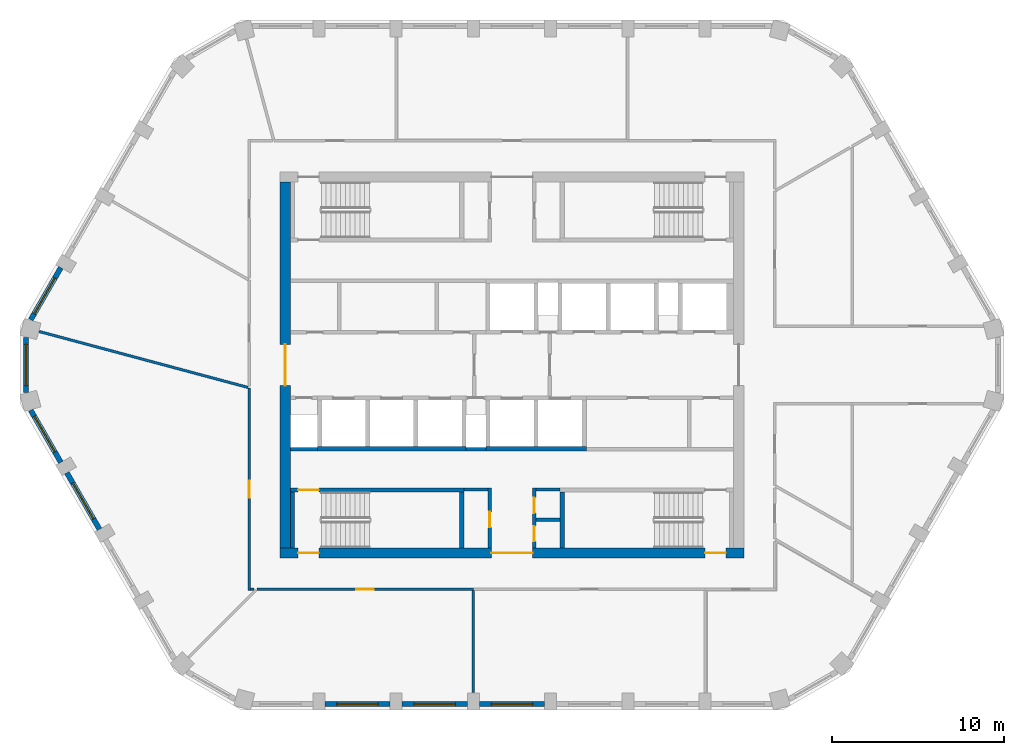
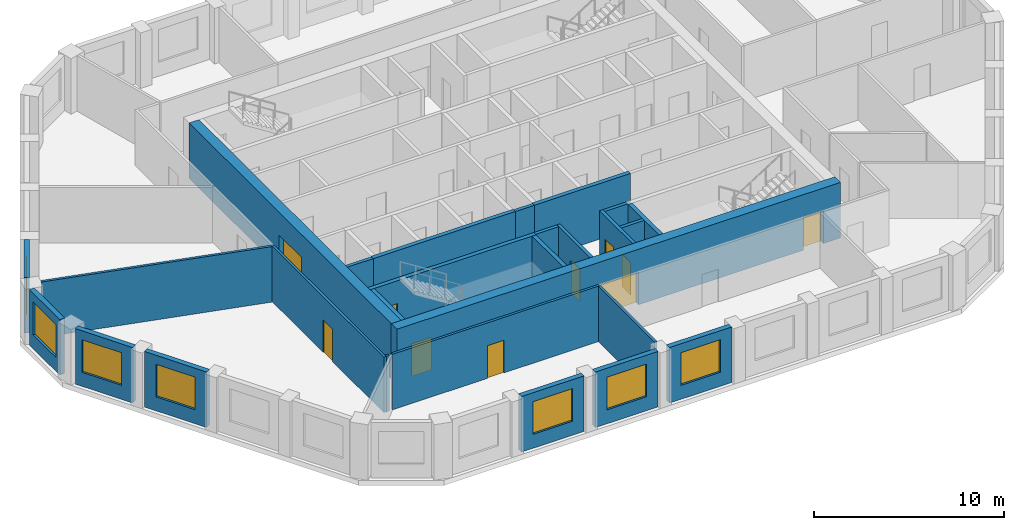
# One storey, part 2 of 10: 27 walls, 10 doors, 7 windows, 17 openings.
"""IFC4 building model written with IfcOpenShell, lengths in metres."""

from ifc_helpers import new_model, si_unit, direction, frame, frame_2d, origin, place, context, subcontext, project, spatial, polyline, rectangle, outline, extrude, material, layer, layer_set, type_object, element, fill, save


model = new_model("IFC4")

# Units and contexts
model_context = context("Model", 3, precision=1e-05, world=origin(), true_north=direction((0.0, 1.0)))
body_context = subcontext(model_context, "Body", "Model", "MODEL_VIEW")
ifc_project = project(units=[si_unit("LENGTHUNIT", "METRE"), si_unit("AREAUNIT", "SQUARE_METRE"), si_unit("VOLUMEUNIT", "CUBIC_METRE"), si_unit("PLANEANGLEUNIT", "RADIAN"), si_unit("MASSUNIT", "GRAM", prefix="KILO")], contexts=[model_context])

# Site, building, storey
site_placement = place(None, origin())
site = spatial("IfcSite", under=ifc_project, at=site_placement, CompositionType="ELEMENT")
building_placement = place(site_placement, origin())
building = spatial("IfcBuilding", under=site, at=building_placement, Name="Dhurran Vertical Campus", CompositionType="ELEMENT")
storey_placement = place(building_placement, frame((0.0, 0.0, 246.89990234375)))
storey = spatial("IfcBuildingStorey", under=building, at=storey_placement, Name="L61", CompositionType="ELEMENT", Elevation=246.89990234375)

# Wall, opening, window
ifc_material_1 = material(Name="Precast concrete C50/60", Category="concrete")
ifc_layer_1 = layer(ifc_material_1, 0.300048828125)
ifc_layer_set_1 = layer_set([ifc_layer_1], Name="Precast concrete C50/60")
wall_type_1 = type_object("IfcWallType", Name="Precast spandrel wall 300", PredefinedType="SOLIDWALL", material=ifc_layer_set_1)
wall_1_placement = place(storey_placement, frame((-10.8994140625, -19.738525390625, 0.0), z_axis=(0.0, 0.0, 1.0), x_axis=(1.0, 0.0, 0.0)))
wall_1 = element("IfcWall", 1, at=wall_1_placement, inside=storey, type_object=wall_type_1, Name="EW1 L61.01", PredefinedType="SOLIDWALL", context=body_context, shape_type="SweptSolid", body=[
    extrude(rectangle(XDim=3.798828125, YDim=0.300048828125, at=frame_2d((1.8994140625, 0.0))), origin(), (0.0, 0.0, 1.0), 3.5751953125),
])
opening_1_placement = place(wall_1_placement, frame((0.699462890625, 0.0, 0.89990234375)))
opening_1 = element("IfcOpeningElement", 2, at=opening_1_placement, cuts=wall_1, Name="Opening WT1", PredefinedType="OPENING", context=body_context, shape_type="SweptSolid", body=[
    extrude(rectangle(XDim=2.39990234375, YDim=2.10009765625, at=frame_2d((1.199951171875, 1.050048828125))), frame((0.0, 0.159912109375, 0.0), z_axis=(0.0, -1.0, 0.0), x_axis=(1.0, 0.0, 0.0)), (0.0, 0.0, 1.0), 0.320068359375),
])
ifc_material_2 = material(Name="Aluminium frame with solar-control glass", Category="aluminium")
window_type = type_object("IfcWindowType", Name="Punched window 2400 x 2100", PartitioningType="SINGLE_PANEL", PredefinedType="WINDOW", material=ifc_material_2)
window_1_placement = place(opening_1_placement, origin())
window_1 = element("IfcWindow", 3, at=window_1_placement, inside=storey, type_object=window_type, Name="WT1 L61.01", OverallHeight=2.10009765625, OverallWidth=2.39990234375, PartitioningType="SINGLE_PANEL", PredefinedType="WINDOW", context=body_context, shape_type="SweptSolid", body=[
    extrude(rectangle(XDim=2.39990234375, YDim=2.10009765625, at=frame_2d((1.199951171875, 1.050048828125))), frame((0.0, 0.030029296875, 0.0), z_axis=(0.0, -1.0, 0.0), x_axis=(1.0, 0.0, 0.0)), (0.0, 0.0, 1.0), 0.06005859375),
])
fill(opening_1, window_1)

wall_2_placement = place(storey_placement, frame((-6.3994140625, -19.738525390625, 0.0), z_axis=(0.0, 0.0, 1.0), x_axis=(1.0, 0.0, 0.0)))
wall_2 = element("IfcWall", 4, at=wall_2_placement, inside=storey, type_object=wall_type_1, Name="EW1 L61.02", PredefinedType="SOLIDWALL", context=body_context, shape_type="SweptSolid", body=[
    extrude(rectangle(XDim=3.798828125, YDim=0.300048828125, at=frame_2d((1.8994140625, 0.0))), origin(), (0.0, 0.0, 1.0), 3.5751953125),
])
opening_2_placement = place(wall_2_placement, frame((0.699462890625, 0.0, 0.89990234375)))
opening_2 = element("IfcOpeningElement", 5, at=opening_2_placement, cuts=wall_2, Name="Opening WT1", PredefinedType="OPENING", context=body_context, shape_type="SweptSolid", body=[
    extrude(rectangle(XDim=2.39990234375, YDim=2.10009765625, at=frame_2d((1.199951171875, 1.050048828125))), frame((0.0, 0.159912109375, 0.0), z_axis=(0.0, -1.0, 0.0), x_axis=(1.0, 0.0, 0.0)), (0.0, 0.0, 1.0), 0.320068359375),
])
window_2_placement = place(opening_2_placement, origin())
window_2 = element("IfcWindow", 6, at=window_2_placement, inside=storey, type_object=window_type, Name="WT1 L61.02", OverallHeight=2.10009765625, OverallWidth=2.39990234375, PartitioningType="SINGLE_PANEL", PredefinedType="WINDOW", context=body_context, shape_type="SweptSolid", body=[
    extrude(rectangle(XDim=2.39990234375, YDim=2.10009765625, at=frame_2d((1.199951171875, 1.050048828125))), frame((0.0, 0.030029296875, 0.0), z_axis=(0.0, -1.0, 0.0), x_axis=(1.0, 0.0, 0.0)), (0.0, 0.0, 1.0), 0.06005859375),
])
fill(opening_2, window_2)

wall_3_placement = place(storey_placement, frame((-1.8994140625, -19.738525390625, 0.0), z_axis=(0.0, 0.0, 1.0), x_axis=(1.0, 0.0, 0.0)))
wall_3 = element("IfcWall", 7, at=wall_3_placement, inside=storey, type_object=wall_type_1, Name="EW1 L61.03", PredefinedType="SOLIDWALL", context=body_context, shape_type="SweptSolid", body=[
    extrude(rectangle(XDim=3.798828125, YDim=0.300048828125, at=frame_2d((1.8994140625, 0.0))), origin(), (0.0, 0.0, 1.0), 3.5751953125),
])
opening_3_placement = place(wall_3_placement, frame((0.699462890625, 0.0, 0.89990234375)))
opening_3 = element("IfcOpeningElement", 8, at=opening_3_placement, cuts=wall_3, Name="Opening WT1", PredefinedType="OPENING", context=body_context, shape_type="SweptSolid", body=[
    extrude(rectangle(XDim=2.39990234375, YDim=2.10009765625, at=frame_2d((1.199951171875, 1.050048828125))), frame((0.0, 0.159912109375, 0.0), z_axis=(0.0, -1.0, 0.0), x_axis=(1.0, 0.0, 0.0)), (0.0, 0.0, 1.0), 0.320068359375),
])
window_3_placement = place(opening_3_placement, origin())
window_3 = element("IfcWindow", 9, at=window_3_placement, inside=storey, type_object=window_type, Name="WT1 L61.03", OverallHeight=2.10009765625, OverallWidth=2.39990234375, PartitioningType="SINGLE_PANEL", PredefinedType="WINDOW", context=body_context, shape_type="SweptSolid", body=[
    extrude(rectangle(XDim=2.39990234375, YDim=2.10009765625, at=frame_2d((1.199951171875, 1.050048828125))), frame((0.0, 0.030029296875, 0.0), z_axis=(0.0, -1.0, 0.0), x_axis=(1.0, 0.0, 0.0)), (0.0, 0.0, 1.0), 0.06005859375),
])
fill(opening_3, window_3)

wall_4_placement = place(storey_placement, frame((-26.269287109375, 5.668701171875, 0.0), z_axis=(0.0, 0.0, 1.0), x_axis=(-0.499990325971, -0.866030989016, 0.0)))
wall_4 = element("IfcWall", 10, at=wall_4_placement, inside=storey, type_object=wall_type_1, Name="EW1 L61.29", PredefinedType="SOLIDWALL", context=body_context, shape_type="SweptSolid", body=[
    extrude(rectangle(XDim=3.49755859375, YDim=0.300048828125, at=frame_2d((1.748779296875, 0.0))), origin(), (0.0, 0.0, 1.0), 3.5751953125),
])
opening_4_placement = place(wall_4_placement, frame((0.699462890625, 0.0, 0.89990234375)))
opening_4 = element("IfcOpeningElement", 11, at=opening_4_placement, cuts=wall_4, Name="Opening WT1", PredefinedType="OPENING", context=body_context, shape_type="SweptSolid", body=[
    extrude(rectangle(XDim=2.39990234375, YDim=2.10009765625, at=frame_2d((1.199951171875, 1.050048828125))), frame((0.0, 0.159912109375, 0.0), z_axis=(0.0, -1.0, 0.0), x_axis=(1.0, 0.0, 0.0)), (0.0, 0.0, 1.0), 0.320068359375),
])
window_4_placement = place(opening_4_placement, origin())
window_4 = element("IfcWindow", 12, at=window_4_placement, inside=storey, type_object=window_type, Name="WT1 L61.29", OverallHeight=2.10009765625, OverallWidth=2.39990234375, PartitioningType="SINGLE_PANEL", PredefinedType="WINDOW", context=body_context, shape_type="SweptSolid", body=[
    extrude(rectangle(XDim=2.39990234375, YDim=2.10009765625, at=frame_2d((1.199951171875, 1.050048828125))), frame((0.0, 0.030029296875, 0.0), z_axis=(0.0, -1.0, 0.0), x_axis=(1.0, 0.0, 0.0)), (0.0, 0.0, 1.0), 0.06005859375),
])
fill(opening_4, window_4)

wall_5_placement = place(storey_placement, frame((-28.297119140625, 1.59814453125, 0.0), z_axis=(0.0, 0.0, 1.0), x_axis=(0.0, -1.0, 0.0)))
wall_5 = element("IfcWall", 13, at=wall_5_placement, inside=storey, type_object=wall_type_1, Name="EW1 L61.30", PredefinedType="SOLIDWALL", context=body_context, shape_type="SweptSolid", body=[
    extrude(rectangle(XDim=3.1962890625, YDim=0.300048828125, at=frame_2d((1.59814453125, 0.0))), origin(), (0.0, 0.0, 1.0), 3.5751953125),
])
opening_5_placement = place(wall_5_placement, frame((0.398193359375, 0.0, 0.89990234375)))
opening_5 = element("IfcOpeningElement", 14, at=opening_5_placement, cuts=wall_5, Name="Opening WT1", PredefinedType="OPENING", context=body_context, shape_type="SweptSolid", body=[
    extrude(rectangle(XDim=2.39990234375, YDim=2.10009765625, at=frame_2d((1.199951171875, 1.050048828125))), frame((0.0, 0.159912109375, 0.0), z_axis=(0.0, -1.0, 0.0), x_axis=(1.0, 0.0, 0.0)), (0.0, 0.0, 1.0), 0.320068359375),
])
window_5_placement = place(opening_5_placement, origin())
window_5 = element("IfcWindow", 15, at=window_5_placement, inside=storey, type_object=window_type, Name="WT1 L61.30", OverallHeight=2.10009765625, OverallWidth=2.39990234375, PartitioningType="SINGLE_PANEL", PredefinedType="WINDOW", context=body_context, shape_type="SweptSolid", body=[
    extrude(rectangle(XDim=2.39990234375, YDim=2.10009765625, at=frame_2d((1.199951171875, 1.050048828125))), frame((0.0, 0.030029296875, 0.0), z_axis=(0.0, -1.0, 0.0), x_axis=(1.0, 0.0, 0.0)), (0.0, 0.0, 1.0), 0.06005859375),
])
fill(opening_5, window_5)

wall_6_placement = place(storey_placement, frame((-28.01806640625, -2.6396484375, 0.0), z_axis=(0.0, 0.0, 1.0), x_axis=(0.499990325971, -0.866030989016, 0.0)))
wall_6 = element("IfcWall", 16, at=wall_6_placement, inside=storey, type_object=wall_type_1, Name="EW1 L61.31", PredefinedType="SOLIDWALL", context=body_context, shape_type="SweptSolid", body=[
    extrude(rectangle(XDim=3.49755859375, YDim=0.300048828125, at=frame_2d((1.748779296875, 0.0))), origin(), (0.0, 0.0, 1.0), 3.5751953125),
])
opening_6_placement = place(wall_6_placement, frame((0.398193359375, 0.0, 0.89990234375)))
opening_6 = element("IfcOpeningElement", 17, at=opening_6_placement, cuts=wall_6, Name="Opening WT1", PredefinedType="OPENING", context=body_context, shape_type="SweptSolid", body=[
    extrude(rectangle(XDim=2.39990234375, YDim=2.10009765625, at=frame_2d((1.199951171875, 1.050048828125))), frame((0.0, 0.159912109375, 0.0), z_axis=(0.0, -1.0, 0.0), x_axis=(1.0, 0.0, 0.0)), (0.0, 0.0, 1.0), 0.320068359375),
])
window_6_placement = place(opening_6_placement, origin())
window_6 = element("IfcWindow", 18, at=window_6_placement, inside=storey, type_object=window_type, Name="WT1 L61.31", OverallHeight=2.10009765625, OverallWidth=2.39990234375, PartitioningType="SINGLE_PANEL", PredefinedType="WINDOW", context=body_context, shape_type="SweptSolid", body=[
    extrude(rectangle(XDim=2.39990234375, YDim=2.10009765625, at=frame_2d((1.199951171875, 1.050048828125))), frame((0.0, 0.030029296875, 0.0), z_axis=(0.0, -1.0, 0.0), x_axis=(1.0, 0.0, 0.0)), (0.0, 0.0, 1.0), 0.06005859375),
])
fill(opening_6, window_6)

wall_7_placement = place(storey_placement, frame((-25.918701171875, -6.275634765625, 0.0), z_axis=(0.0, 0.0, 1.0), x_axis=(0.499982058975, -0.866035761792, 0.0)))
wall_7 = element("IfcWall", 19, at=wall_7_placement, inside=storey, type_object=wall_type_1, Name="EW1 L61.32", PredefinedType="SOLIDWALL", context=body_context, shape_type="SweptSolid", body=[
    extrude(rectangle(XDim=3.799072265625, YDim=0.300048828125, at=frame_2d((1.8994140625, 0.0))), origin(), (0.0, 0.0, 1.0), 3.5751953125),
])
opening_7_placement = place(wall_7_placement, frame((0.699462890625, 0.0, 0.89990234375)))
opening_7 = element("IfcOpeningElement", 20, at=opening_7_placement, cuts=wall_7, Name="Opening WT1", PredefinedType="OPENING", context=body_context, shape_type="SweptSolid", body=[
    extrude(rectangle(XDim=2.39990234375, YDim=2.10009765625, at=frame_2d((1.199951171875, 1.050048828125))), frame((0.0, 0.159912109375, 0.0), z_axis=(0.0, -1.0, 0.0), x_axis=(1.0, 0.0, 0.0)), (0.0, 0.0, 1.0), 0.320068359375),
])
window_7_placement = place(opening_7_placement, origin())
window_7 = element("IfcWindow", 21, at=window_7_placement, inside=storey, type_object=window_type, Name="WT1 L61.32", OverallHeight=2.10009765625, OverallWidth=2.39990234375, PartitioningType="SINGLE_PANEL", PredefinedType="WINDOW", context=body_context, shape_type="SweptSolid", body=[
    extrude(rectangle(XDim=2.39990234375, YDim=2.10009765625, at=frame_2d((1.199951171875, 1.050048828125))), frame((0.0, 0.030029296875, 0.0), z_axis=(0.0, -1.0, 0.0), x_axis=(1.0, 0.0, 0.0)), (0.0, 0.0, 1.0), 0.06005859375),
])
fill(opening_7, window_7)

# Wall, openings, doors
ifc_material_3 = material(Name="Concrete C50/60", Category="concrete")
ifc_layer_2 = layer(ifc_material_3, 0.60009765625)
ifc_layer_set_2 = layer_set([ifc_layer_2], Name="Concrete C50/60")
wall_type_2 = type_object("IfcWallType", Name="co-CORE-WALL-C2-600", PredefinedType="SHEAR", material=ifc_layer_set_2)
wall_8_placement = place(storey_placement, frame((-13.5, -10.949951171875, 0.0), z_axis=(0.0, 0.0, 1.0), x_axis=(1.0, 0.0, 0.0)))
wall_8 = element("IfcWall", 22, at=wall_8_placement, inside=storey, type_object=wall_type_2, Name="Core wall S L61", PredefinedType="SHEAR", context=body_context, shape_type="SweptSolid", body=[
    extrude(rectangle(XDim=27.0, YDim=0.60009765625, at=frame_2d((13.5, 0.0))), origin(), (0.0, 0.0, 1.0), 3.5751953125),
])
opening_8_placement = place(wall_8_placement, frame((12.300048828125, 0.0, 0.0)))
opening_8 = element("IfcOpeningElement", 23, at=opening_8_placement, cuts=wall_8, Name="Opening CV2", PredefinedType="OPENING", context=body_context, shape_type="SweptSolid", body=[
    extrude(rectangle(XDim=2.39990234375, YDim=2.10009765625, at=frame_2d((1.199951171875, 1.050048828125))), frame((0.0, 0.31005859375, 0.0), z_axis=(0.0, -1.0, 0.0), x_axis=(1.0, 0.0, 0.0)), (0.0, 0.0, 1.0), 0.6201171875),
])
opening_9_placement = place(wall_8_placement, frame((1.050048828125, 0.0, 0.0)))
opening_9 = element("IfcOpeningElement", 24, at=opening_9_placement, cuts=wall_8, Name="Opening XD3", PredefinedType="OPENING", context=body_context, shape_type="SweptSolid", body=[
    extrude(rectangle(XDim=1.199951171875, YDim=2.10009765625, at=frame_2d((0.60009765625, 1.050048828125))), frame((0.0, 0.31005859375, 0.0), z_axis=(0.0, -1.0, 0.0), x_axis=(1.0, 0.0, 0.0)), (0.0, 0.0, 1.0), 0.6201171875),
])
opening_10_placement = place(wall_8_placement, frame((24.75, 0.0, 0.0)))
opening_10 = element("IfcOpeningElement", 25, at=opening_10_placement, cuts=wall_8, Name="Opening XD4", PredefinedType="OPENING", context=body_context, shape_type="SweptSolid", body=[
    extrude(rectangle(XDim=1.199951171875, YDim=2.10009765625, at=frame_2d((0.60009765625, 1.050048828125))), frame((0.0, 0.31005859375, 0.0), z_axis=(0.0, -1.0, 0.0), x_axis=(1.0, 0.0, 0.0)), (0.0, 0.0, 1.0), 0.6201171875),
])
ifc_material_4 = material(Name="Fire-rated glazed door set")
door_type_1 = type_object("IfcDoorType", Name="co-D-LOBBY 2400x2100", OperationType="DOUBLE_DOOR_DOUBLE_SWING", PredefinedType="DOOR", material=ifc_material_4)
door_1_placement = place(opening_8_placement, origin())
door_1 = element("IfcDoor", 26, at=door_1_placement, inside=storey, type_object=door_type_1, Name="Core vestibule door S L61", OperationType="DOUBLE_DOOR_DOUBLE_SWING", OverallHeight=2.10009765625, OverallWidth=2.39990234375, PredefinedType="DOOR", context=body_context, shape_type="SweptSolid", body=[
    extrude(rectangle(XDim=2.39990234375, YDim=2.10009765625, at=frame_2d((1.199951171875, 1.050048828125))), frame((0.0, 0.02490234375, 0.0), z_axis=(0.0, -1.0, 0.0), x_axis=(1.0, 0.0, 0.0)), (0.0, 0.0, 1.0), 0.050048828125),
])
fill(opening_8, door_1)
ifc_material_5 = material(Name="Fire-rated steel door set", Category="steel")
door_type_2 = type_object("IfcDoorType", Name="co-D-STAIR-EXIT 1200x2100", OperationType="SINGLE_SWING_RIGHT", PredefinedType="DOOR", material=ifc_material_5)
door_2_placement = place(opening_9_placement, origin())
door_2 = element("IfcDoor", 27, at=door_2_placement, inside=storey, type_object=door_type_2, Name="Stair ST3 exit door L61", OperationType="SINGLE_SWING_RIGHT", OverallHeight=2.10009765625, OverallWidth=1.199951171875, PredefinedType="DOOR", context=body_context, shape_type="SweptSolid", body=[
    extrude(rectangle(XDim=1.199951171875, YDim=2.10009765625, at=frame_2d((0.60009765625, 1.050048828125))), frame((0.0, 0.02490234375, 0.0), z_axis=(0.0, -1.0, 0.0), x_axis=(1.0, 0.0, 0.0)), (0.0, 0.0, 1.0), 0.050048828125),
])
fill(opening_9, door_2)
door_3_placement = place(opening_10_placement, origin())
door_3 = element("IfcDoor", 28, at=door_3_placement, inside=storey, type_object=door_type_2, Name="Stair ST4 exit door L61", OperationType="SINGLE_SWING_RIGHT", OverallHeight=2.10009765625, OverallWidth=1.199951171875, PredefinedType="DOOR", context=body_context, shape_type="SweptSolid", body=[
    extrude(rectangle(XDim=1.199951171875, YDim=2.10009765625, at=frame_2d((0.60009765625, 1.050048828125))), frame((0.0, 0.02490234375, 0.0), z_axis=(0.0, -1.0, 0.0), x_axis=(1.0, 0.0, 0.0)), (0.0, 0.0, 1.0), 0.050048828125),
])
fill(opening_10, door_3)

# Wall, opening, door
wall_9_placement = place(storey_placement, frame((-13.199951171875, -10.64990234375, 0.0), z_axis=(0.0, 0.0, 1.0), x_axis=(0.0, 1.0, 0.0)))
wall_9 = element("IfcWall", 29, at=wall_9_placement, inside=storey, type_object=wall_type_2, Name="Core wall W L61", PredefinedType="SHEAR", context=body_context, shape_type="SweptSolid", body=[
    extrude(rectangle(XDim=21.2998046875, YDim=0.60009765625, at=frame_2d((10.64990234375, 0.0))), origin(), (0.0, 0.0, 1.0), 3.5751953125),
])
opening_11_placement = place(wall_9_placement, frame((9.449951171875, 0.0, 0.0)))
opening_11 = element("IfcOpeningElement", 30, at=opening_11_placement, cuts=wall_9, Name="Opening CL1", PredefinedType="OPENING", context=body_context, shape_type="SweptSolid", body=[
    extrude(rectangle(XDim=2.39990234375, YDim=2.10009765625, at=frame_2d((1.199951171875, 1.050048828125))), frame((0.0, 0.31005859375, 0.0), z_axis=(0.0, -1.0, 0.0), x_axis=(1.0, 0.0, 0.0)), (0.0, 0.0, 1.0), 0.6201171875),
])
door_4_placement = place(opening_11_placement, origin())
door_4 = element("IfcDoor", 31, at=door_4_placement, inside=storey, type_object=door_type_1, Name="Lift lobby door W L61", OperationType="DOUBLE_DOOR_DOUBLE_SWING", OverallHeight=2.10009765625, OverallWidth=2.39990234375, PredefinedType="DOOR", context=body_context, shape_type="SweptSolid", body=[
    extrude(rectangle(XDim=2.39990234375, YDim=2.10009765625, at=frame_2d((1.199951171875, 1.050048828125))), frame((0.0, 0.02490234375, 0.0), z_axis=(0.0, -1.0, 0.0), x_axis=(1.0, 0.0, 0.0)), (0.0, 0.0, 1.0), 0.050048828125),
])
fill(opening_11, door_4)

# Walls
ifc_material_6 = material(Name="Fire-rated masonry blockwork", Category="masonry")
ifc_layer_3 = layer(ifc_material_6, 0.199951171875)
ifc_layer_set_3 = layer_set([ifc_layer_3], Name="Fire-rated masonry blockwork")
wall_type_3 = type_object("IfcWallType", Name="co-FIRE-PARTITION-200", PredefinedType="PARTITIONING", material=ifc_layer_set_3)
for number, where, z_axis, x_axis, name in (
    (32, (-2.800048828125, -7.25, 0.0), (0.0, 0.0, 1.0), (1.0, 0.0, 0.0), "Core partition sl-SW-S L61"),
    (33, (1.39990234375, -7.25, 0.0), (0.0, 0.0, 1.0), (1.0, 0.0, 0.0), "Core partition sl-SE-S L61"),
    (34, (1.39990234375, -9.0, 0.0), (0.0, 0.0, 1.0), (1.0, 0.0, 0.0), "Core partition sl-SE-cut0 L61"),
):
    element("IfcWall", number, at=place(storey_placement, frame(where, z_axis=z_axis, x_axis=x_axis)), inside=storey, type_object=wall_type_3, Name=name, PredefinedType="PARTITIONING", context=body_context, shape_type="SweptSolid", body=[
        extrude(rectangle(XDim=1.400146484375, YDim=0.199951171875, at=frame_2d((0.7001953125, 0.0))), origin(), (0.0, 0.0, 1.0), 3.5751953125),
    ])

# Wall, opening, door
wall_10_placement = place(storey_placement, frame((-1.300048828125, -10.64990234375, 0.0), z_axis=(0.0, 0.0, 1.0), x_axis=(0.0, 1.0, 0.0)))
wall_10 = element("IfcWall", 35, at=wall_10_placement, inside=storey, type_object=wall_type_3, Name="Core partition vest-SW L61", PredefinedType="PARTITIONING", context=body_context, shape_type="SweptSolid", body=[
    extrude(rectangle(XDim=3.5, YDim=0.199951171875, at=frame_2d((1.75, 0.0))), origin(), (0.0, 0.0, 1.0), 3.5751953125),
])
opening_12_placement = place(wall_10_placement, frame((1.199951171875, 0.0, 0.0)))
opening_12 = element("IfcOpeningElement", 36, at=opening_12_placement, cuts=wall_10, Name="Opening T18-C1", PredefinedType="OPENING", context=body_context, shape_type="SweptSolid", body=[
    extrude(rectangle(XDim=0.89990234375, YDim=2.10009765625, at=frame_2d((0.449951171875, 1.050048828125))), frame((0.0, 0.10986328125, 0.0), z_axis=(0.0, -1.0, 0.0), x_axis=(1.0, 0.0, 0.0)), (0.0, 0.0, 1.0), 0.219970703125),
])
ifc_material_7 = material(Name="Fire-rated timber door set", Category="wood")
door_type_3 = type_object("IfcDoorType", Name="co-D-ROOM 900x2100", OperationType="SINGLE_SWING_LEFT", PredefinedType="DOOR", material=ifc_material_7)
door_5_placement = place(opening_12_placement, origin())
door_5 = element("IfcDoor", 37, at=door_5_placement, inside=storey, type_object=door_type_3, Name="Fire equipment store door L61", OperationType="SINGLE_SWING_LEFT", OverallHeight=2.10009765625, OverallWidth=0.89990234375, PredefinedType="DOOR", context=body_context, shape_type="SweptSolid", body=[
    extrude(rectangle(XDim=0.89990234375, YDim=2.10009765625, at=frame_2d((0.449951171875, 1.050048828125))), frame((0.0, 0.02490234375, 0.0), z_axis=(0.0, -1.0, 0.0), x_axis=(1.0, 0.0, 0.0)), (0.0, 0.0, 1.0), 0.050048828125),
])
fill(opening_12, door_5)

# Wall, openings, doors
wall_11_placement = place(storey_placement, frame((1.300048828125, -10.64990234375, 0.0), z_axis=(0.0, 0.0, 1.0), x_axis=(0.0, 1.0, 0.0)))
wall_11 = element("IfcWall", 38, at=wall_11_placement, inside=storey, type_object=wall_type_3, Name="Core partition vest-SE L61", PredefinedType="PARTITIONING", context=body_context, shape_type="SweptSolid", body=[
    extrude(rectangle(XDim=3.5, YDim=0.199951171875, at=frame_2d((1.75, 0.0))), origin(), (0.0, 0.0, 1.0), 3.5751953125),
])
opening_13_placement = place(wall_11_placement, frame((0.375, 0.0, 0.0)))
opening_13 = element("IfcOpeningElement", 39, at=opening_13_placement, cuts=wall_11, Name="Opening T18-C2", PredefinedType="OPENING", context=body_context, shape_type="SweptSolid", body=[
    extrude(rectangle(XDim=0.89990234375, YDim=2.10009765625, at=frame_2d((0.449951171875, 1.050048828125))), frame((0.0, 0.10986328125, 0.0), z_axis=(0.0, -1.0, 0.0), x_axis=(1.0, 0.0, 0.0)), (0.0, 0.0, 1.0), 0.219970703125),
])
opening_14_placement = place(wall_11_placement, frame((2.02490234375, 0.0, 0.0)))
opening_14 = element("IfcOpeningElement", 40, at=opening_14_placement, cuts=wall_11, Name="Opening T18-C3", PredefinedType="OPENING", context=body_context, shape_type="SweptSolid", body=[
    extrude(rectangle(XDim=0.89990234375, YDim=2.10009765625, at=frame_2d((0.449951171875, 1.050048828125))), frame((0.0, 0.10986328125, 0.0), z_axis=(0.0, -1.0, 0.0), x_axis=(1.0, 0.0, 0.0)), (0.0, 0.0, 1.0), 0.219970703125),
])
door_6_placement = place(opening_13_placement, origin())
door_6 = element("IfcDoor", 41, at=door_6_placement, inside=storey, type_object=door_type_3, Name="Waste room door L61", OperationType="SINGLE_SWING_LEFT", OverallHeight=2.10009765625, OverallWidth=0.89990234375, PredefinedType="DOOR", context=body_context, shape_type="SweptSolid", body=[
    extrude(rectangle(XDim=0.89990234375, YDim=2.10009765625, at=frame_2d((0.449951171875, 1.050048828125))), frame((0.0, 0.02490234375, 0.0), z_axis=(0.0, -1.0, 0.0), x_axis=(1.0, 0.0, 0.0)), (0.0, 0.0, 1.0), 0.050048828125),
])
fill(opening_13, door_6)
door_7_placement = place(opening_14_placement, origin())
door_7 = element("IfcDoor", 42, at=door_7_placement, inside=storey, type_object=door_type_3, Name="Store door L61", OperationType="SINGLE_SWING_LEFT", OverallHeight=2.10009765625, OverallWidth=0.89990234375, PredefinedType="DOOR", context=body_context, shape_type="SweptSolid", body=[
    extrude(rectangle(XDim=0.89990234375, YDim=2.10009765625, at=frame_2d((0.449951171875, 1.050048828125))), frame((0.0, 0.02490234375, 0.0), z_axis=(0.0, -1.0, 0.0), x_axis=(1.0, 0.0, 0.0)), (0.0, 0.0, 1.0), 0.050048828125),
])
fill(opening_14, door_7)

# Walls
wall_12_placement = place(storey_placement, frame((-12.89990234375, -4.89990234375, 0.0), z_axis=(0.0, 0.0, 1.0), x_axis=(1.0, 0.0, 0.0)))
element("IfcWall", 43, at=wall_12_placement, inside=storey, type_object=wall_type_3, Name="Core partition fr-S0-b L61", PredefinedType="PARTITIONING", context=body_context, shape_type="SweptSolid", body=[
    extrude(rectangle(XDim=1.574951171875, YDim=0.199951171875, at=frame_2d((0.78759765625, 0.0))), origin(), (0.0, 0.0, 1.0), 3.5751953125),
])
wall_13_placement = place(storey_placement, frame((-2.675048828125, -4.89990234375, 0.0), z_axis=(0.0, 0.0, 1.0), x_axis=(1.0, 0.0, 0.0)))
element("IfcWall", 44, at=wall_13_placement, inside=storey, type_object=wall_type_3, Name="Core partition fr-S1-b L61", PredefinedType="PARTITIONING", context=body_context, shape_type="SweptSolid", body=[
    extrude(rectangle(XDim=1.150146484375, YDim=0.199951171875, at=frame_2d((0.5751953125, 0.0))), origin(), (0.0, 0.0, 1.0), 3.5751953125),
])
ifc_material_8 = material(Name="Concrete C50/60", Category="concrete")
ifc_layer_4 = layer(ifc_material_8, 0.25)
ifc_layer_set_4 = layer_set([ifc_layer_4], Name="Concrete C50/60")
wall_type_4 = type_object("IfcWallType", Name="co-SHAFT-MASS-250", PredefinedType="SHEAR", material=ifc_layer_set_4)
wall_14_placement = place(storey_placement, origin())
element("IfcWall", 45, at=wall_14_placement, inside=storey, type_object=wall_type_4, Name="Lift shaft wall S L61 1", PredefinedType="SHEAR", context=body_context, shape_type="SweptSolid", body=[
    extrude(outline(polyline([(-11.324951171875, -5.0), (-2.675048828125, -5.0), (-2.675048828125, -4.75), (-11.324951171875, -4.75), (-11.324951171875, -5.0)])), origin(), (0.0, 0.0, 1.0), 3.5751953125),
])
wall_15_placement = place(storey_placement, origin())
element("IfcWall", 46, at=wall_15_placement, inside=storey, type_object=wall_type_4, Name="Lift shaft wall S L61 2", PredefinedType="SHEAR", context=body_context, shape_type="SweptSolid", body=[
    extrude(outline(polyline([(-1.52490234375, -5.0), (4.324951171875, -5.0), (4.324951171875, -4.75), (-1.52490234375, -4.75), (-1.52490234375, -5.0)])), origin(), (0.0, 0.0, 1.0), 3.5751953125),
])

# Wall, opening, door
ifc_material_9 = material(Name="Concrete C40/50", Category="concrete")
ifc_layer_5 = layer(ifc_material_9, 0.25)
ifc_layer_set_5 = layer_set([ifc_layer_5], Name="Concrete C40/50")
wall_type_5 = type_object("IfcWallType", Name="co-STAIR-WALL-250", PredefinedType="SHEAR", material=ifc_layer_set_5)
wall_16_placement = place(storey_placement, frame((-12.89990234375, -7.27490234375, 0.0), z_axis=(0.0, 0.0, 1.0), x_axis=(1.0, 0.0, 0.0)))
wall_16 = element("IfcWall", 47, at=wall_16_placement, inside=storey, type_object=wall_type_5, Name="Stair ST3 enclosure wall L61", PredefinedType="SHEAR", context=body_context, shape_type="SweptSolid", body=[
    extrude(rectangle(XDim=10.099853515625, YDim=0.25, at=frame_2d((5.0498046875, 0.0))), origin(), (0.0, 0.0, 1.0), 3.5751953125),
])
opening_15_placement = place(wall_16_placement, frame((0.449951171875, 0.0, 0.0)))
opening_15 = element("IfcOpeningElement", 48, at=opening_15_placement, cuts=wall_16, Name="Opening SD3", PredefinedType="OPENING", context=body_context, shape_type="SweptSolid", body=[
    extrude(rectangle(XDim=1.199951171875, YDim=2.10009765625, at=frame_2d((0.60009765625, 1.050048828125))), frame((0.0, 0.135009765625, 0.0), z_axis=(0.0, -1.0, 0.0), x_axis=(1.0, 0.0, 0.0)), (0.0, 0.0, 1.0), 0.27001953125),
])
ifc_material_10 = material(Name="Fire-rated steel door set", Category="steel")
door_type_4 = type_object("IfcDoorType", Name="co-D-STAIR 1200x2100", OperationType="SINGLE_SWING_LEFT", PredefinedType="DOOR", material=ifc_material_10)
door_8_placement = place(opening_15_placement, origin())
door_8 = element("IfcDoor", 49, at=door_8_placement, inside=storey, type_object=door_type_4, Name="Stair ST3 door L61", OperationType="SINGLE_SWING_LEFT", OverallHeight=2.10009765625, OverallWidth=1.199951171875, PredefinedType="DOOR", context=body_context, shape_type="SweptSolid", body=[
    extrude(rectangle(XDim=1.199951171875, YDim=2.10009765625, at=frame_2d((0.60009765625, 1.050048828125))), frame((0.0, 0.02490234375, 0.0), z_axis=(0.0, -1.0, 0.0), x_axis=(1.0, 0.0, 0.0)), (0.0, 0.0, 1.0), 0.050048828125),
])
fill(opening_15, door_8)

# Walls
for number, where, z_axis, x_axis, name in (
    (50, (-12.77490234375, -10.64990234375, 0.0), (0.0, 0.0, 1.0), (0.0, 1.0, 0.0), "Stair ST3 enclosure wall L61"),
    (51, (-2.925048828125, -10.64990234375, 0.0), (0.0, 0.0, 1.0), (0.0, 1.0, 0.0), "Stair ST3 enclosure wall L61"),
    (52, (2.925048828125, -10.64990234375, 0.0), (0.0, 0.0, 1.0), (0.0, 1.0, 0.0), "Stair ST4 enclosure wall L61"),
):
    element("IfcWall", number, at=place(storey_placement, frame(where, z_axis=z_axis, x_axis=x_axis)), inside=storey, type_object=wall_type_5, Name=name, PredefinedType="SHEAR", context=body_context, shape_type="SweptSolid", body=[
        extrude(rectangle(XDim=3.25, YDim=0.25, at=frame_2d((1.625, 0.0))), origin(), (0.0, 0.0, 1.0), 3.5751953125),
    ])

# Wall, opening, door
ifc_material_11 = material(Name="Gypsum board corridor wall on steel studs", Category="steel")
ifc_layer_6 = layer(ifc_material_11, 0.14990234375)
ifc_layer_set_6 = layer_set([ifc_layer_6], Name="Gypsum board corridor wall on steel studs")
wall_type_6 = type_object("IfcWallType", Name="fl-CW-150 corridor wall", PredefinedType="PARTITIONING", material=ifc_layer_set_6)
wall_17_placement = place(storey_placement, frame((-15.300048828125, -1.325927734375, 0.0), z_axis=(0.0, 0.0, 1.0), x_axis=(0.0, -1.0, 0.0)))
wall_17 = element("IfcWall", 53, at=wall_17_placement, inside=storey, type_object=wall_type_6, Name="Partition 61-05", PredefinedType="PARTITIONING", context=body_context, shape_type="SweptSolid", body=[
    extrude(rectangle(XDim=11.799072265625, YDim=0.14990234375, at=frame_2d((5.8994140625, 0.0))), origin(), (0.0, 0.0, 1.0), 3.5751953125),
])
opening_16_placement = place(wall_17_placement, frame((5.3994140625, 0.0, 0.0)))
opening_16 = element("IfcOpeningElement", 54, at=opening_16_placement, cuts=wall_17, Name="Opening T18.02", PredefinedType="OPENING", context=body_context, shape_type="SweptSolid", body=[
    extrude(rectangle(XDim=1.0, YDim=2.10009765625, at=frame_2d((0.5, 1.050048828125))), frame((0.0, 0.0849609375, 0.0), z_axis=(0.0, -1.0, 0.0), x_axis=(1.0, 0.0, 0.0)), (0.0, 0.0, 1.0), 0.169921875),
])
ifc_material_12 = material(Name="Solid-core timber door set, fire-rated", Category="wood")
door_type_5 = type_object("IfcDoorType", Name="fl-D-1000x2100", OperationType="SINGLE_SWING_LEFT", PredefinedType="DOOR", material=ifc_material_12)
door_9_placement = place(opening_16_placement, origin())
door_9 = element("IfcDoor", 55, at=door_9_placement, inside=storey, type_object=door_type_5, Name="Door 61.02", OperationType="SINGLE_SWING_RIGHT", OverallHeight=2.10009765625, OverallWidth=1.0, PredefinedType="DOOR", context=body_context, shape_type="SweptSolid", body=[
    extrude(rectangle(XDim=1.0, YDim=2.10009765625, at=frame_2d((0.5, 1.050048828125))), frame((0.0, 0.02490234375, 0.0), z_axis=(0.0, -1.0, 0.0), x_axis=(1.0, 0.0, 0.0)), (0.0, 0.0, 1.0), 0.050048828125),
])
fill(opening_16, door_9)

# Wall
wall_18_placement = place(storey_placement, frame((-15.22509765625, -13.050048828125, 0.0), z_axis=(0.0, 0.0, 1.0), x_axis=(1.0, 0.0, 0.0)))
element("IfcWall", 56, at=wall_18_placement, inside=storey, type_object=wall_type_6, Name="Partition 61-06", PredefinedType="PARTITIONING", context=body_context, shape_type="SweptSolid", body=[
    extrude(rectangle(XDim=0.191162109375, YDim=0.14990234375, at=frame_2d((0.095703125, 0.0))), origin(), (0.0, 0.0, 1.0), 3.5751953125),
])

# Wall, opening, door
wall_19_placement = place(storey_placement, frame((-14.85888671875, -13.050048828125, 0.0), z_axis=(0.0, 0.0, 1.0), x_axis=(1.0, 0.0, 0.0)))
wall_19 = element("IfcWall", 57, at=wall_19_placement, inside=storey, type_object=wall_type_6, Name="Partition 61-10", PredefinedType="PARTITIONING", context=body_context, shape_type="SweptSolid", body=[
    extrude(rectangle(XDim=12.60888671875, YDim=0.14990234375, at=frame_2d((6.304443359375, 0.0))), origin(), (0.0, 0.0, 1.0), 3.5751953125),
])
opening_17_placement = place(wall_19_placement, frame((5.804443359375, 0.0, 0.0)))
opening_17 = element("IfcOpeningElement", 58, at=opening_17_placement, cuts=wall_19, Name="Opening T18.05", PredefinedType="OPENING", context=body_context, shape_type="SweptSolid", body=[
    extrude(rectangle(XDim=1.0, YDim=2.10009765625, at=frame_2d((0.5, 1.050048828125))), frame((0.0, 0.0849609375, 0.0), z_axis=(0.0, -1.0, 0.0), x_axis=(1.0, 0.0, 0.0)), (0.0, 0.0, 1.0), 0.169921875),
])
door_10_placement = place(opening_17_placement, origin())
door_10 = element("IfcDoor", 59, at=door_10_placement, inside=storey, type_object=door_type_5, Name="Door 61.05", OperationType="SINGLE_SWING_RIGHT", OverallHeight=2.10009765625, OverallWidth=1.0, PredefinedType="DOOR", context=body_context, shape_type="SweptSolid", body=[
    extrude(rectangle(XDim=1.0, YDim=2.10009765625, at=frame_2d((0.5, 1.050048828125))), frame((0.0, 0.02490234375, 0.0), z_axis=(0.0, -1.0, 0.0), x_axis=(1.0, 0.0, 0.0)), (0.0, 0.0, 1.0), 0.050048828125),
])
fill(opening_17, door_10)

# Walls
ifc_material_13 = material(Name="Folding acoustic partition panels")
ifc_layer_7 = layer(ifc_material_13, 0.14990234375)
ifc_layer_set_7 = layer_set([ifc_layer_7], Name="Folding acoustic partition panels")
wall_type_7 = type_object("IfcWallType", Name="fl-MW-150 movable partition", PredefinedType="MOVABLE", material=ifc_layer_set_7)
wall_20_placement = place(storey_placement, frame((-2.25, -13.125, 0.0), z_axis=(0.0, 0.0, 1.0), x_axis=(0.0, -1.0, 0.0)))
element("IfcWall", 60, at=wall_20_placement, inside=storey, type_object=wall_type_7, Name="Partition 61-14", PredefinedType="MOVABLE", context=body_context, shape_type="SweptSolid", body=[
    extrude(rectangle(XDim=5.943603515625, YDim=0.14990234375, at=frame_2d((2.9716796875, 0.0))), origin(), (0.0, 0.0, 1.0), 3.5751953125),
])
ifc_material_14 = material(Name="Gypsum board partition on steel studs", Category="steel")
ifc_layer_8 = layer(ifc_material_14, 0.14990234375)
ifc_layer_set_8 = layer_set([ifc_layer_8], Name="Gypsum board partition on steel studs")
wall_type_8 = type_object("IfcWallType", Name="fl-PW-150 fixed partition", PredefinedType="PARTITIONING", material=ifc_layer_set_8)
wall_21_placement = place(storey_placement, frame((-15.372314453125, -1.306640625, 0.0), z_axis=(0.0, 0.0, 1.0), x_axis=(-0.965924592024, 0.258823651398, 0.0)))
element("IfcWall", 61, at=wall_21_placement, inside=storey, type_object=wall_type_8, Name="Partition 61-01", PredefinedType="PARTITIONING", context=body_context, shape_type="SweptSolid", body=[
    extrude(rectangle(XDim=12.5888671875, YDim=0.14990234375, at=frame_2d((6.29443359375, 0.0))), origin(), (0.0, 0.0, 1.0), 3.5751953125),
])

save(model, "model.ifc")
